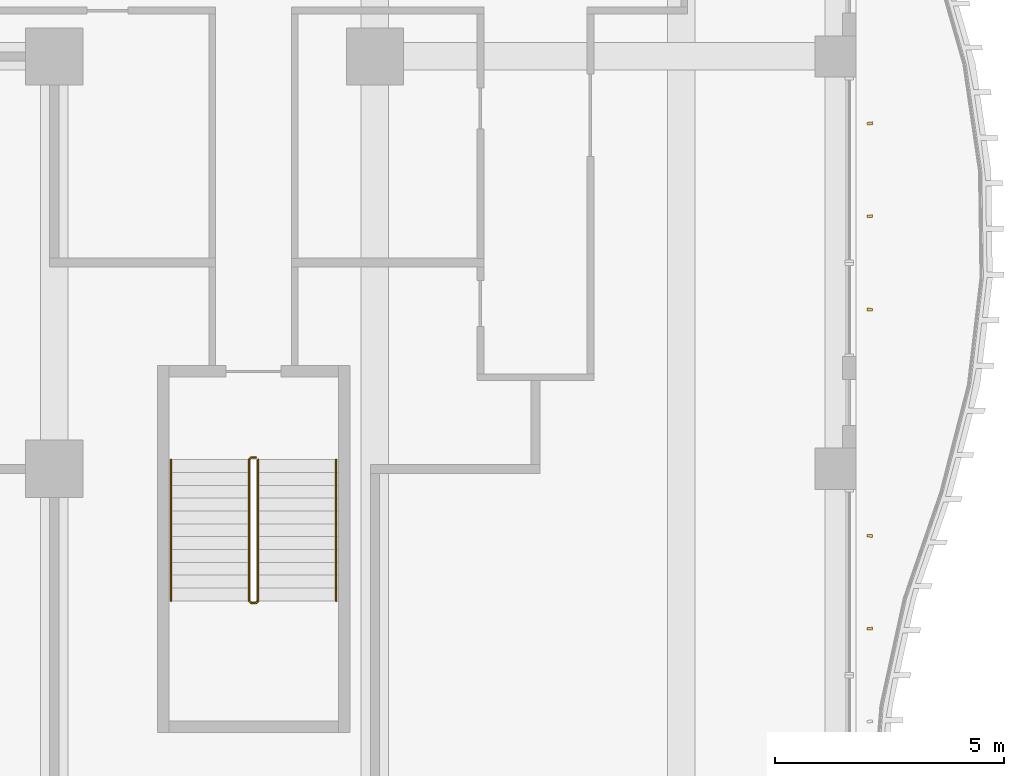
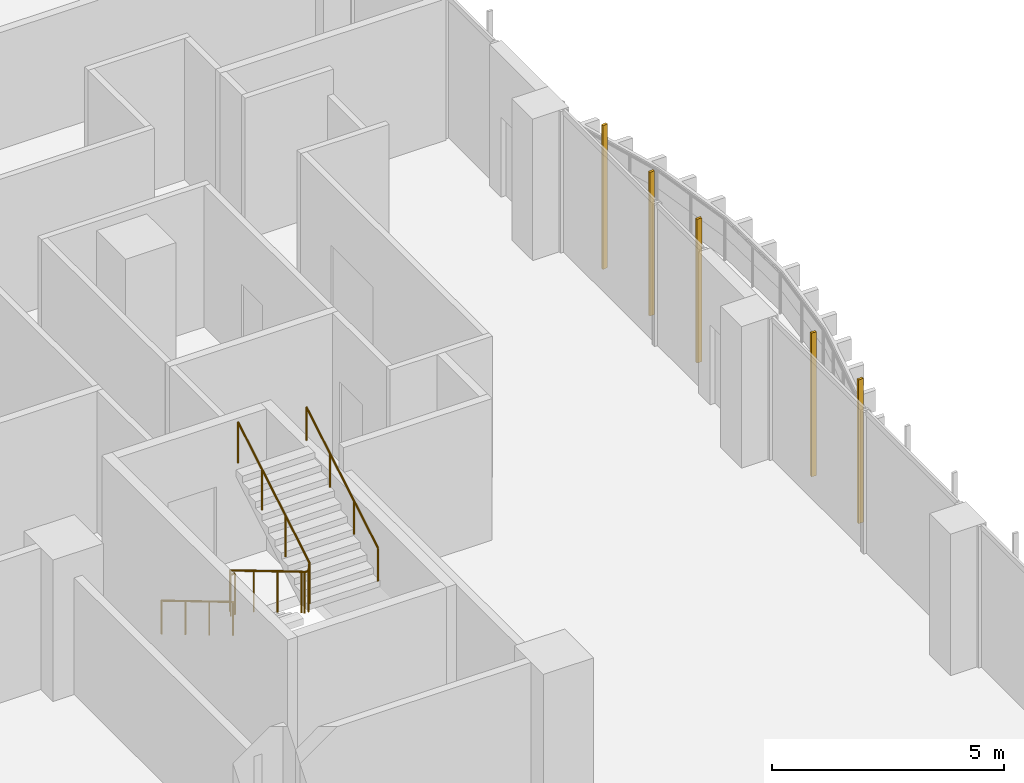
# One storey, part 24 of 28: 5 shading devices, 3 railings.
"""IFC4 building model written with IfcOpenShell, lengths in metres."""

from ifc_helpers import new_model, si_unit, direction, frame, origin, origin_2d, place, context, subcontext, project, spatial, rectangle, circle, extrude, source, transform, mapped, material, material_profile, profile_set, type_object, element, save


model = new_model("IFC4")

# Units and contexts
model_context = context("Model", 3, precision=1e-05, world=origin(), true_north=direction((0.0, 1.0)))
body_context = subcontext(model_context, "Body", "Model", "MODEL_VIEW")
ifc_project = project(units=[si_unit("LENGTHUNIT", "METRE"), si_unit("AREAUNIT", "SQUARE_METRE"), si_unit("VOLUMEUNIT", "CUBIC_METRE"), si_unit("PLANEANGLEUNIT", "RADIAN"), si_unit("MASSUNIT", "GRAM", prefix="KILO")], contexts=[model_context])

# Site, building, storey
site_placement = place(None, origin())
site = spatial("IfcSite", under=ifc_project, at=site_placement, CompositionType="ELEMENT")
building_placement = place(site_placement, origin())
building = spatial("IfcBuilding", under=site, at=building_placement, Name="Kilnfold Tower and Market Hall", CompositionType="ELEMENT")
storey_placement = place(building_placement, frame((0.0, 0.0, 87.199951171875)))
storey = spatial("IfcBuildingStorey", under=building, at=storey_placement, Name="L20", CompositionType="ELEMENT", Elevation=87.199951171875)

# Railings
ifc_material_1 = material(Name="Stainless steel 316", Category="steel")
railing_type_1 = type_object("IfcRailingType", Name="CORE STAIR GUARD 1100", PredefinedType="GUARDRAIL", material=ifc_material_1)
railing_1_placement = place(storey_placement, frame((19.89990234375, -9.75, 0.0)))
element("IfcRailing", 1, at=railing_1_placement, inside=storey, type_object=railing_type_1, Name="L20 ST4 stair guard 1", PredefinedType="GUARDRAIL", context=body_context, shape_type="SweptSolid", body=[
    extrude(circle(Radius=0.02392578125, at=origin_2d()), frame((0.0, 0.0, 1.076171875), z_axis=(-1.0, 0.0, 0.0), x_axis=(0.0, -1.0, 0.0)), (0.0, 0.0, 1.0), 0.099853515625),
    extrude(circle(Radius=0.02392578125, at=origin_2d()), frame((-0.099853515625, 0.0, 1.076171875), z_axis=(-0.27628659633, -0.27628659633, 0.920506074601), x_axis=(0.707106781187, -0.707106781187, 0.0)), (0.0, 0.0, 1.0), 0.18115234375),
    extrude(circle(Radius=0.02392578125, at=origin_2d()), frame((-0.14990234375, -0.050048828125, 1.24267578125), z_axis=(0.0, -0.859290745958, 0.51148745235), x_axis=(1.0, 0.0, 0.0)), (0.0, 0.0, 1.0), 3.584228515625),
    extrude(circle(Radius=0.02392578125, at=origin_2d()), frame((-0.14990234375, -3.1298828125, 3.076171875), z_axis=(0.707106781187, -0.707106781187, 0.0), x_axis=(0.707106781187, 0.707106781187, 0.0)), (0.0, 0.0, 1.0), 0.07080078125),
    extrude(circle(Radius=0.02392578125, at=origin_2d()), frame((-0.099853515625, -3.179931640625, 3.076171875), z_axis=(1.0, 0.0, 0.0), x_axis=(0.0, 1.0, 0.0)), (0.0, 0.0, 1.0), 0.099853515625),
    extrude(circle(Radius=0.02392578125, at=origin_2d()), frame((0.0, -3.179931640625, 3.076171875), z_axis=(0.27628659633, 0.27628659633, 0.920506074601), x_axis=(-0.707106781187, 0.707106781187, 0.0)), (0.0, 0.0, 1.0), 0.18115234375),
    extrude(circle(Radius=0.02392578125, at=origin_2d()), frame((0.050048828125, -3.1298828125, 3.24267578125), z_axis=(0.0, 0.859290745958, 0.51148745235), x_axis=(-1.0, 0.0, 0.0)), (0.0, 0.0, 1.0), 3.584228515625),
    extrude(circle(Radius=0.02099609375, at=origin_2d()), origin(), (0.0, 0.0, 1.0), 1.052001953125),
    extrude(circle(Radius=0.02099609375, at=origin_2d()), frame((-0.099853515625, 0.0, 0.0)), (0.0, 0.0, 1.0), 1.052001953125),
    extrude(circle(Radius=0.02099609375, at=origin_2d()), frame((-0.14990234375, -0.050048828125, 0.166748046875)), (0.0, 0.0, 1.0), 1.052001953125),
    extrude(circle(Radius=0.02099609375, at=origin_2d()), frame((-0.14990234375, -1.07666015625, 0.77783203125)), (0.0, 0.0, 1.0), 1.052001953125),
    extrude(circle(Radius=0.02099609375, at=origin_2d()), frame((-0.14990234375, -2.103271484375, 1.388916015625)), (0.0, 0.0, 1.0), 1.052001953125),
    extrude(circle(Radius=0.02099609375, at=origin_2d()), frame((-0.14990234375, -3.1298828125, 2.0)), (0.0, 0.0, 1.0), 1.052001953125),
    extrude(circle(Radius=0.02099609375, at=origin_2d()), frame((-0.099853515625, -3.179931640625, 2.0)), (0.0, 0.0, 1.0), 1.052001953125),
    extrude(circle(Radius=0.02099609375, at=origin_2d()), frame((0.0, -3.179931640625, 2.0)), (0.0, 0.0, 1.0), 1.052001953125),
    extrude(circle(Radius=0.02099609375, at=origin_2d()), frame((0.050048828125, -3.1298828125, 2.166748046875)), (0.0, 0.0, 1.0), 1.052001953125),
    extrude(circle(Radius=0.02099609375, at=origin_2d()), frame((0.050048828125, -2.103271484375, 2.77783203125)), (0.0, 0.0, 1.0), 1.052001953125),
    extrude(circle(Radius=0.02099609375, at=origin_2d()), frame((0.050048828125, -1.07666015625, 3.388916015625)), (0.0, 0.0, 1.0), 1.052001953125),
    extrude(circle(Radius=0.02099609375, at=origin_2d()), frame((0.050048828125, -0.050048828125, 4.0)), (0.0, 0.0, 1.0), 1.052001953125),
])
ifc_material_2 = material(Name="Stainless steel 316", Category="steel")
railing_type_2 = type_object("IfcRailingType", Name="CORE STAIR HANDRAIL 900", PredefinedType="HANDRAIL", material=ifc_material_2)
railing_2_placement = place(storey_placement, frame((18.050048828125, -9.800048828125, 0.166748046875)))
element("IfcRailing", 2, at=railing_2_placement, inside=storey, type_object=railing_type_2, Name="L20 ST4 stair handrail 1", PredefinedType="HANDRAIL", context=body_context, shape_type="SweptSolid", body=[
    extrude(circle(Radius=0.02392578125, at=origin_2d()), frame((0.0, 0.0, 0.8759765625), z_axis=(0.0, -0.859290745958, 0.51148745235), x_axis=(1.0, 0.0, 0.0)), (0.0, 0.0, 1.0), 3.584228515625),
    extrude(circle(Radius=0.02099609375, at=origin_2d()), origin(), (0.0, 0.0, 1.0), 0.851806640625),
    extrude(circle(Radius=0.02099609375, at=origin_2d()), frame((0.0, -1.026611328125, 0.611083984375)), (0.0, 0.0, 1.0), 0.851806640625),
    extrude(circle(Radius=0.02099609375, at=origin_2d()), frame((0.0, -2.05322265625, 1.22216796875)), (0.0, 0.0, 1.0), 0.851806640625),
    extrude(circle(Radius=0.02099609375, at=origin_2d()), frame((0.0, -3.079833984375, 1.833251953125)), (0.0, 0.0, 1.0), 0.851806640625),
])
railing_3_placement = place(storey_placement, frame((21.64990234375, -12.8798828125, 2.166748046875)))
element("IfcRailing", 3, at=railing_3_placement, inside=storey, type_object=railing_type_2, Name="L20 ST4 stair handrail 2", PredefinedType="HANDRAIL", context=body_context, shape_type="SweptSolid", body=[
    extrude(circle(Radius=0.02392578125, at=origin_2d()), frame((0.0, 0.0, 0.8759765625), z_axis=(0.0, 0.859290745958, 0.51148745235), x_axis=(-1.0, 0.0, 0.0)), (0.0, 0.0, 1.0), 3.584228515625),
    extrude(circle(Radius=0.02099609375, at=origin_2d()), origin(), (0.0, 0.0, 1.0), 0.851806640625),
    extrude(circle(Radius=0.02099609375, at=origin_2d()), frame((0.0, 1.026611328125, 0.611083984375)), (0.0, 0.0, 1.0), 0.851806640625),
    extrude(circle(Radius=0.02099609375, at=origin_2d()), frame((0.0, 2.05322265625, 1.22216796875)), (0.0, 0.0, 1.0), 0.851806640625),
    extrude(circle(Radius=0.02099609375, at=origin_2d()), frame((0.0, 3.079833984375, 1.833251953125)), (0.0, 0.0, 1.0), 0.851806640625),
])

# Shading devices
ifc_material_3 = material(Name="Terracotta", Category="masonry")
ifc_material_profile = material_profile(ifc_material_3, rectangle(XDim=0.06005859375, YDim=0.1201171875, at=origin_2d()), Name="BAG 60x120")
ifc_profile_set = profile_set([ifc_material_profile], Name="Terracotta")
shading_device_type = type_object("IfcShadingDeviceType", Name="BAGUETTE", PredefinedType="USERDEFINED", material=ifc_profile_set)
shared_shape = source(origin(), body_context, "Body", "SweptSolid", [
    extrude(rectangle(XDim=0.06005859375, YDim=0.1201171875, at=origin_2d()), origin(), (0.0, 0.0, 1.0), 3.780029296875),
])
for number, where, z_axis, x_axis, name in (
    (4, (33.300048828125, -13.487548828125, 0.0), (0.0, 0.0, 1.0), (-0.046320166532, 0.998926645041, 0.0), "Terracotta baguette L20 E"),
    (5, (33.300048828125, -11.46240234375, 0.0), (0.0, 0.0, 1.0), (0.075338988116, 0.997157979896, 0.0), "Terracotta baguette L20 E"),
    (6, (33.300048828125, -6.52490234375, 0.0), (0.0, 0.0, 1.0), (0.048529010098, 0.998821773481, 0.0), "Terracotta baguette L20 E"),
    (7, (33.300048828125, -4.487548828125, 0.0), (0.0, 0.0, 1.0), (-0.074017982334, 0.997256906866, 0.0), "Terracotta baguette L20 E"),
    (8, (33.300048828125, -2.46240234375, 0.0), (0.0, 0.0, 1.0), (-0.138445430704, 0.99037006352, 0.0), "Terracotta baguette L20 E"),
):
    element("IfcShadingDevice", number, at=place(storey_placement, frame(where, z_axis=z_axis, x_axis=x_axis)), inside=storey, type_object=shading_device_type, Name=name, ObjectType="BAGUETTE", PredefinedType="USERDEFINED", context=body_context, shape_type="MappedRepresentation", body=[
        mapped(shared_shape, transform((0.0, 0.0, 0.0))),
    ])

save(model, "model.ifc")
